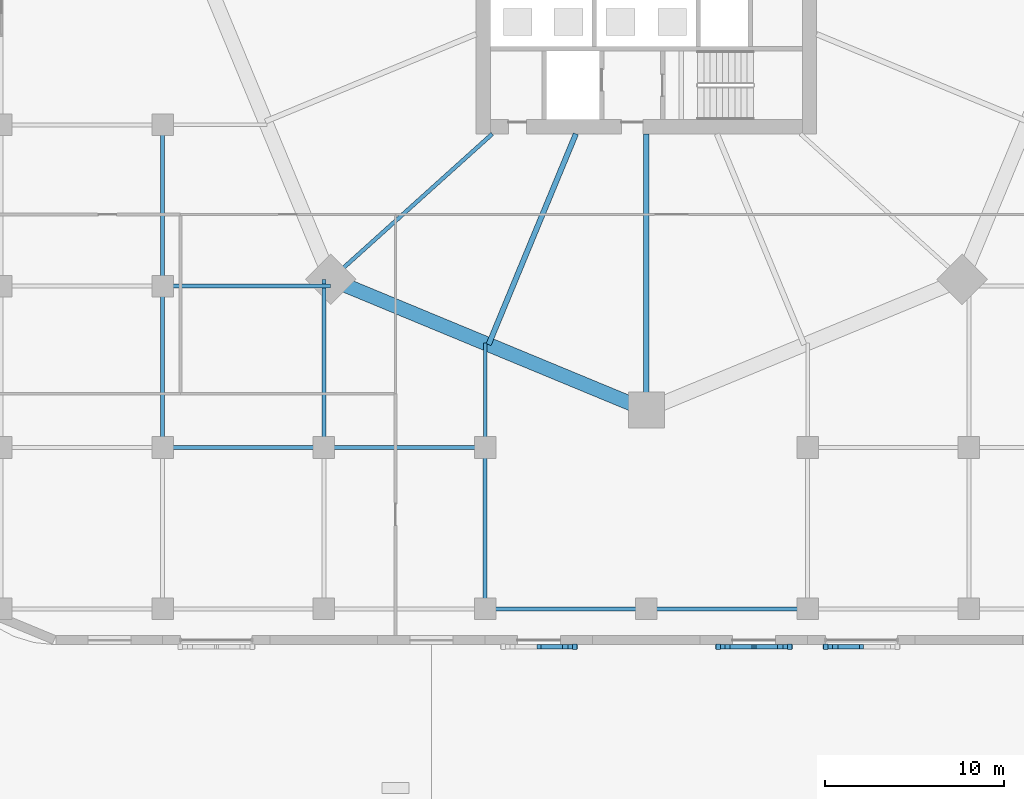
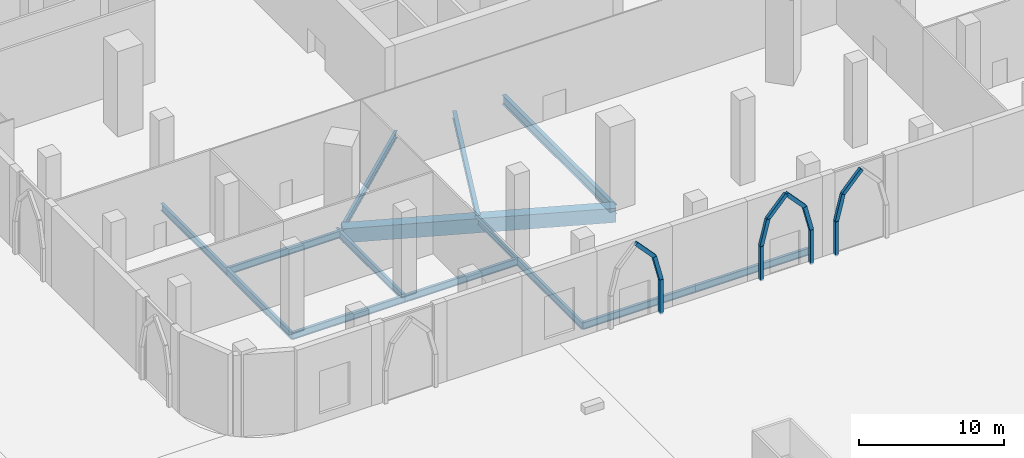
# One storey, part 3 of 48: 14 beams, 12 members.
"""IFC4 building model written with IfcOpenShell, lengths in metres."""

from ifc_helpers import new_model, si_unit, direction, frame, origin, origin_2d, place, context, subcontext, project, spatial, rectangle, hollow_rectangle, i_section, extrude, material, material_profile, profile_set, type_object, element, save


model = new_model("IFC4")

# Units and contexts
model_context = context("Model", 3, precision=1e-05, world=origin(), true_north=direction((0.0, 1.0)))
body_context = subcontext(model_context, "Body", "Model", "MODEL_VIEW")
ifc_project = project(units=[si_unit("LENGTHUNIT", "METRE"), si_unit("AREAUNIT", "SQUARE_METRE"), si_unit("VOLUMEUNIT", "CUBIC_METRE"), si_unit("PLANEANGLEUNIT", "RADIAN"), si_unit("MASSUNIT", "GRAM", prefix="KILO")], contexts=[model_context])

# Site, building, storey
site_placement = place(None, origin())
site = spatial("IfcSite", under=ifc_project, at=site_placement, CompositionType="ELEMENT")
building_placement = place(site_placement, origin())
building = spatial("IfcBuilding", under=site, at=building_placement, Name="Ogive Gate Towers", CompositionType="ELEMENT")
storey_placement = place(building_placement, origin())
storey = spatial("IfcBuildingStorey", under=building, at=storey_placement, Name="L00", CompositionType="ELEMENT", Elevation=0.0)

# Members
ifc_material_1 = material(Name="Precast concrete C40/50", Category="concrete")
ifc_material_profile_1 = material_profile(ifc_material_1, rectangle(XDim=0.25, YDim=0.300048828125, at=origin_2d()), Name="250 x 300 cast stone")
ifc_profile_set_1 = profile_set([ifc_material_profile_1], Name="Precast concrete C40/50")
member_type = type_object("IfcMemberType", Name="Arch rib 250 x 300", PredefinedType="USERDEFINED", material=ifc_profile_set_1)
member_1_placement = place(storey_placement, frame((-40.0, -38.125, 0.0), z_axis=(0.0, 0.0, 1.0), x_axis=(1.0, 0.0, 0.0)))
element("IfcMember", 1, at=member_1_placement, inside=storey, type_object=member_type, Name="Arcade arch rib", ObjectType="ARCH RIB", PredefinedType="USERDEFINED", context=body_context, shape_type="SweptSolid", body=[
    extrude(rectangle(XDim=0.25, YDim=0.300048828125, at=origin_2d()), origin(), (0.0, 0.0, 1.0), 2.89990234375),
])
for number, where, z_axis, x_axis, name in (
    (2, (-40.0, -38.125, 2.89990234375), (-0.245931792163, 0.0, 0.969287136819), (0.0, -1.0, 0.0), "Arcade arch rib"),
    (3, (-40.5322265625, -38.125, 4.99755859375), (-0.678223875113, 0.0, 0.734855343062), (0.0, -1.0, 0.0), "Arcade arch rib"),
):
    element("IfcMember", number, at=place(storey_placement, frame(where, z_axis=z_axis, x_axis=x_axis)), inside=storey, type_object=member_type, Name=name, ObjectType="ARCH RIB", PredefinedType="USERDEFINED", context=body_context, shape_type="SweptSolid", body=[
        extrude(rectangle(XDim=0.25, YDim=0.300048828125, at=origin_2d()), origin(), (0.0, 0.0, 1.0), 2.1640625),
    ])
member_2_placement = place(storey_placement, frame((-32.0, -38.125, 0.0), z_axis=(0.0, 0.0, 1.0), x_axis=(1.0, 0.0, 0.0)))
element("IfcMember", 4, at=member_2_placement, inside=storey, type_object=member_type, Name="Arcade arch rib", ObjectType="ARCH RIB", PredefinedType="USERDEFINED", context=body_context, shape_type="SweptSolid", body=[
    extrude(rectangle(XDim=0.25, YDim=0.300048828125, at=origin_2d()), origin(), (0.0, 0.0, 1.0), 2.89990234375),
])
for number, where, z_axis, x_axis, name in (
    (5, (-32.0, -38.125, 2.89990234375), (0.245931792163, 0.0, 0.969287136819), (0.0, 1.0, 0.0), "Arcade arch rib"),
    (6, (-31.4677734375, -38.125, 4.99755859375), (0.678223875113, 0.0, 0.734855343062), (0.0, 1.0, 0.0), "Arcade arch rib"),
):
    element("IfcMember", number, at=place(storey_placement, frame(where, z_axis=z_axis, x_axis=x_axis)), inside=storey, type_object=member_type, Name=name, ObjectType="ARCH RIB", PredefinedType="USERDEFINED", context=body_context, shape_type="SweptSolid", body=[
        extrude(rectangle(XDim=0.25, YDim=0.300048828125, at=origin_2d()), origin(), (0.0, 0.0, 1.0), 2.1640625),
    ])
member_3_placement = place(storey_placement, frame((-28.0, -38.125, 0.0), z_axis=(0.0, 0.0, 1.0), x_axis=(1.0, 0.0, 0.0)))
element("IfcMember", 7, at=member_3_placement, inside=storey, type_object=member_type, Name="Arcade arch rib", ObjectType="ARCH RIB", PredefinedType="USERDEFINED", context=body_context, shape_type="SweptSolid", body=[
    extrude(rectangle(XDim=0.25, YDim=0.300048828125, at=origin_2d()), origin(), (0.0, 0.0, 1.0), 2.89990234375),
])
for number, where, z_axis, x_axis, name in (
    (8, (-28.0, -38.125, 2.89990234375), (-0.245931792163, 0.0, 0.969287136819), (0.0, -1.0, 0.0), "Arcade arch rib"),
    (9, (-28.5322265625, -38.125, 4.99755859375), (-0.678223875113, 0.0, 0.734855343062), (0.0, -1.0, 0.0), "Arcade arch rib"),
):
    element("IfcMember", number, at=place(storey_placement, frame(where, z_axis=z_axis, x_axis=x_axis)), inside=storey, type_object=member_type, Name=name, ObjectType="ARCH RIB", PredefinedType="USERDEFINED", context=body_context, shape_type="SweptSolid", body=[
        extrude(rectangle(XDim=0.25, YDim=0.300048828125, at=origin_2d()), origin(), (0.0, 0.0, 1.0), 2.1640625),
    ])
member_4_placement = place(storey_placement, frame((-26.0, -38.125, 0.0), z_axis=(0.0, 0.0, 1.0), x_axis=(1.0, 0.0, 0.0)))
element("IfcMember", 10, at=member_4_placement, inside=storey, type_object=member_type, Name="Arcade arch rib", ObjectType="ARCH RIB", PredefinedType="USERDEFINED", context=body_context, shape_type="SweptSolid", body=[
    extrude(rectangle(XDim=0.25, YDim=0.300048828125, at=origin_2d()), origin(), (0.0, 0.0, 1.0), 2.89990234375),
])
for number, where, z_axis, x_axis, name in (
    (11, (-26.0, -38.125, 2.89990234375), (0.245931792163, 0.0, 0.969287136819), (0.0, 1.0, 0.0), "Arcade arch rib"),
    (12, (-25.4677734375, -38.125, 4.99755859375), (0.678223875113, 0.0, 0.734855343062), (0.0, 1.0, 0.0), "Arcade arch rib"),
):
    element("IfcMember", number, at=place(storey_placement, frame(where, z_axis=z_axis, x_axis=x_axis)), inside=storey, type_object=member_type, Name=name, ObjectType="ARCH RIB", PredefinedType="USERDEFINED", context=body_context, shape_type="SweptSolid", body=[
        extrude(rectangle(XDim=0.25, YDim=0.300048828125, at=origin_2d()), origin(), (0.0, 0.0, 1.0), 2.1640625),
    ])

# Beams
ifc_material_2 = material(Name="Steel SM460", Category="steel")
ifc_material_profile_2 = material_profile(ifc_material_2, hollow_rectangle(XDim=0.800048828125, YDim=1.199951171875, WallThickness=0.050048828125, at=origin_2d()), Name="BX 1200x800x50")
ifc_profile_set_2 = profile_set([ifc_material_profile_2], Name="Steel SM460")
beam_type_1 = type_object("IfcBeamType", Name="Edge girder BX 1200x800x50", PredefinedType="BEAM", material=ifc_profile_set_2)
beam_1_placement = place(storey_placement, frame((-53.614013671875, -17.614013671875, -0.89990234375), z_axis=(0.923880736283, -0.382680526191, 0.0), x_axis=(0.382680526191, 0.923880736283, 0.0)))
element("IfcBeam", 13, at=beam_1_placement, inside=storey, type_object=beam_type_1, Name="T1/L00/SBM017", PredefinedType="BEAM", context=body_context, shape_type="SweptSolid", body=[
    extrude(hollow_rectangle(XDim=0.800048828125, YDim=1.199951171875, WallThickness=0.050048828125, at=origin_2d()), origin(), (0.0, 0.0, 1.0), 19.065185546875),
])
ifc_material_3 = material(Name="Steel SM355", Category="steel")
ifc_material_profile_3 = material_profile(ifc_material_3, i_section(OverallWidth=0.18994140625, OverallDepth=0.449951171875, WebThickness=0.009521484375, FlangeThickness=0.0146484375, FilletRadius=0.02099609375, at=origin_2d()), Name="IPE 450")
ifc_profile_set_3 = profile_set([ifc_material_profile_3], Name="Steel SM355")
beam_type_2 = type_object("IfcBeamType", Name="Floor beam IPE 450", PredefinedType="BEAM", material=ifc_profile_set_3)
beam_2_placement = place(storey_placement, frame((-45.0, -27.0, -0.52490234375), z_axis=(0.0, 1.0, 0.0), x_axis=(-1.0, 0.0, 0.0)))
element("IfcBeam", 14, at=beam_2_placement, inside=storey, type_object=beam_type_2, Name="PD/L00/SBM155", PredefinedType="BEAM", context=body_context, shape_type="SweptSolid", body=[
    extrude(i_section(OverallWidth=0.18994140625, OverallDepth=0.449951171875, WebThickness=0.009521484375, FlangeThickness=0.0146484375, FilletRadius=0.02099609375, at=origin_2d()), origin(), (0.0, 0.0, 1.0), 5.81787109375),
])
ifc_material_profile_4 = material_profile(ifc_material_3, i_section(OverallWidth=0.219970703125, OverallDepth=0.60009765625, WebThickness=0.011962890625, FlangeThickness=0.01904296875, FilletRadius=0.02392578125, at=origin_2d()), Name="IPE 600")
ifc_profile_set_4 = profile_set([ifc_material_profile_4], Name="Steel SM355")
beam_type_3 = type_object("IfcBeamType", Name="Floor beam IPE 600", PredefinedType="BEAM", material=ifc_profile_set_4)
for number, where, z_axis, x_axis, name in (
    (15, (-63.0, -27.0, -0.60009765625), (0.0, 1.0, 0.0), (-1.0, 0.0, 0.0), "PD/L00/SBM010"),
    (16, (-63.0, -18.0, -0.60009765625), (0.0, 1.0, 0.0), (-1.0, 0.0, 0.0), "PD/L00/SBM011"),
):
    element("IfcBeam", number, at=place(storey_placement, frame(where, z_axis=z_axis, x_axis=x_axis)), inside=storey, type_object=beam_type_3, Name=name, PredefinedType="BEAM", context=body_context, shape_type="SweptSolid", body=[
        extrude(i_section(OverallWidth=0.219970703125, OverallDepth=0.60009765625, WebThickness=0.011962890625, FlangeThickness=0.01904296875, FilletRadius=0.02392578125, at=origin_2d()), origin(), (0.0, 0.0, 1.0), 9.0),
    ])
beam_3_placement = place(storey_placement, frame((-54.0, -27.0, -0.60009765625), z_axis=(0.0, 1.0, 0.0), x_axis=(-1.0, 0.0, 0.0)))
element("IfcBeam", 17, at=beam_3_placement, inside=storey, type_object=beam_type_3, Name="PD/L00/SBM016", PredefinedType="BEAM", context=body_context, shape_type="SweptSolid", body=[
    extrude(i_section(OverallWidth=0.219970703125, OverallDepth=0.60009765625, WebThickness=0.011962890625, FlangeThickness=0.01904296875, FilletRadius=0.02392578125, at=origin_2d()), origin(), (0.0, 0.0, 1.0), 9.385986328125),
])
for number, where, z_axis, x_axis, name in (
    (18, (-45.0, -36.0, -0.60009765625), (0.0, 1.0, 0.0), (-1.0, 0.0, 0.0), "PD/L00/SBM019"),
    (19, (-45.0, -36.0, -0.60009765625), (1.0, 0.0, 0.0), (0.0, 1.0, 0.0), "PD/L00/SBM076"),
    (20, (-36.0, -36.0, -0.60009765625), (1.0, 0.0, 0.0), (0.0, 1.0, 0.0), "PD/L00/SBM077"),
    (21, (-63.0, -27.0, -0.60009765625), (1.0, 0.0, 0.0), (0.0, 1.0, 0.0), "PD/L00/SBM090"),
    (22, (-54.0, -27.0, -0.60009765625), (1.0, 0.0, 0.0), (0.0, 1.0, 0.0), "PD/L00/SBM091"),
):
    element("IfcBeam", number, at=place(storey_placement, frame(where, z_axis=z_axis, x_axis=x_axis)), inside=storey, type_object=beam_type_3, Name=name, PredefinedType="BEAM", context=body_context, shape_type="SweptSolid", body=[
        extrude(i_section(OverallWidth=0.219970703125, OverallDepth=0.60009765625, WebThickness=0.011962890625, FlangeThickness=0.01904296875, FilletRadius=0.02392578125, at=origin_2d()), origin(), (0.0, 0.0, 1.0), 9.0),
    ])
beam_4_placement = place(storey_placement, frame((-63.0, -18.0, -0.60009765625), z_axis=(1.0, 0.0, 0.0), x_axis=(0.0, 1.0, 0.0)))
element("IfcBeam", 23, at=beam_4_placement, inside=storey, type_object=beam_type_3, Name="PD/L00/SBM102", PredefinedType="BEAM", context=body_context, shape_type="SweptSolid", body=[
    extrude(i_section(OverallWidth=0.219970703125, OverallDepth=0.60009765625, WebThickness=0.011962890625, FlangeThickness=0.01904296875, FilletRadius=0.02392578125, at=origin_2d()), origin(), (0.0, 0.0, 1.0), 9.385986328125),
])
ifc_material_profile_5 = material_profile(ifc_material_3, i_section(OverallWidth=0.300048828125, OverallDepth=0.590087890625, WebThickness=0.012939453125, FlangeThickness=0.02490234375, FilletRadius=0.027099609375, at=origin_2d()), Name="HE 600 A")
ifc_profile_set_5 = profile_set([ifc_material_profile_5], Name="Steel SM355")
beam_type_4 = type_object("IfcBeamType", Name="Radial floor beam HE 600 A", PredefinedType="BEAM", material=ifc_profile_set_5)
beam_5_placement = place(storey_placement, frame((-39.93505859375, -9.5, -0.594970703125), z_axis=(-0.382690523214, -0.923876595354, 0.0), x_axis=(0.923876595354, -0.382690523214, 0.0)))
element("IfcBeam", 24, at=beam_5_placement, inside=storey, type_object=beam_type_4, Name="T1/L00/SBM002", PredefinedType="BEAM", context=body_context, shape_type="SweptSolid", body=[
    extrude(i_section(OverallWidth=0.300048828125, OverallDepth=0.590087890625, WebThickness=0.012939453125, FlangeThickness=0.02490234375, FilletRadius=0.027099609375, at=origin_2d()), origin(), (0.0, 0.0, 1.0), 12.731201171875),
])
ifc_material_profile_6 = material_profile(ifc_material_3, i_section(OverallWidth=0.300048828125, OverallDepth=0.7900390625, WebThickness=0.014892578125, FlangeThickness=0.028076171875, FilletRadius=0.030029296875, at=origin_2d()), Name="HE 800 A")
ifc_profile_set_6 = profile_set([ifc_material_profile_6], Name="Steel SM355")
beam_type_5 = type_object("IfcBeamType", Name="Radial floor beam HE 800 A", PredefinedType="BEAM", material=ifc_profile_set_6)
beam_6_placement = place(storey_placement, frame((-36.0, -9.5, -0.695068359375), z_axis=(0.0, -1.0, 0.0), x_axis=(1.0, 0.0, 0.0)))
element("IfcBeam", 25, at=beam_6_placement, inside=storey, type_object=beam_type_5, Name="T1/L00/SBM003", PredefinedType="BEAM", context=body_context, shape_type="SweptSolid", body=[
    extrude(i_section(OverallWidth=0.300048828125, OverallDepth=0.7900390625, WebThickness=0.014892578125, FlangeThickness=0.028076171875, FilletRadius=0.030029296875, at=origin_2d()), origin(), (0.0, 0.0, 1.0), 15.409912109375),
])
ifc_material_profile_7 = material_profile(ifc_material_3, i_section(OverallWidth=0.219970703125, OverallDepth=0.60009765625, WebThickness=0.011962890625, FlangeThickness=0.01904296875, FilletRadius=0.02392578125, at=origin_2d()), Name="IPE 600")
ifc_profile_set_7 = profile_set([ifc_material_profile_7], Name="Steel SM355")
beam_type_6 = type_object("IfcBeamType", Name="Radial floor beam IPE 600", PredefinedType="BEAM", material=ifc_profile_set_7)
beam_7_placement = place(storey_placement, frame((-44.60009765625, -9.5, -0.60009765625), z_axis=(-0.743233084761, -0.669032571491, 0.0), x_axis=(0.669032571491, -0.743233084761, 0.0)))
element("IfcBeam", 26, at=beam_7_placement, inside=storey, type_object=beam_type_6, Name="T1/L00/SBM001", PredefinedType="BEAM", context=body_context, shape_type="SweptSolid", body=[
    extrude(i_section(OverallWidth=0.219970703125, OverallDepth=0.60009765625, WebThickness=0.011962890625, FlangeThickness=0.01904296875, FilletRadius=0.02392578125, at=origin_2d()), origin(), (0.0, 0.0, 1.0), 12.1279296875),
])

save(model, "model.ifc")
